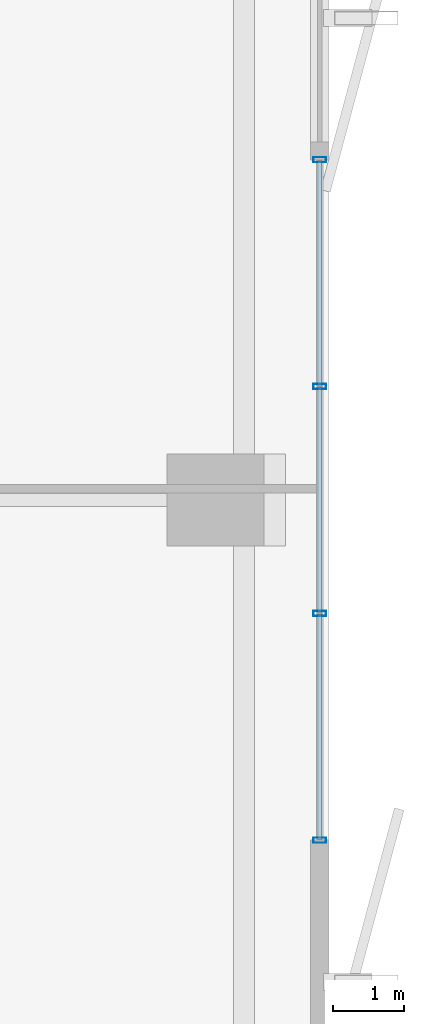
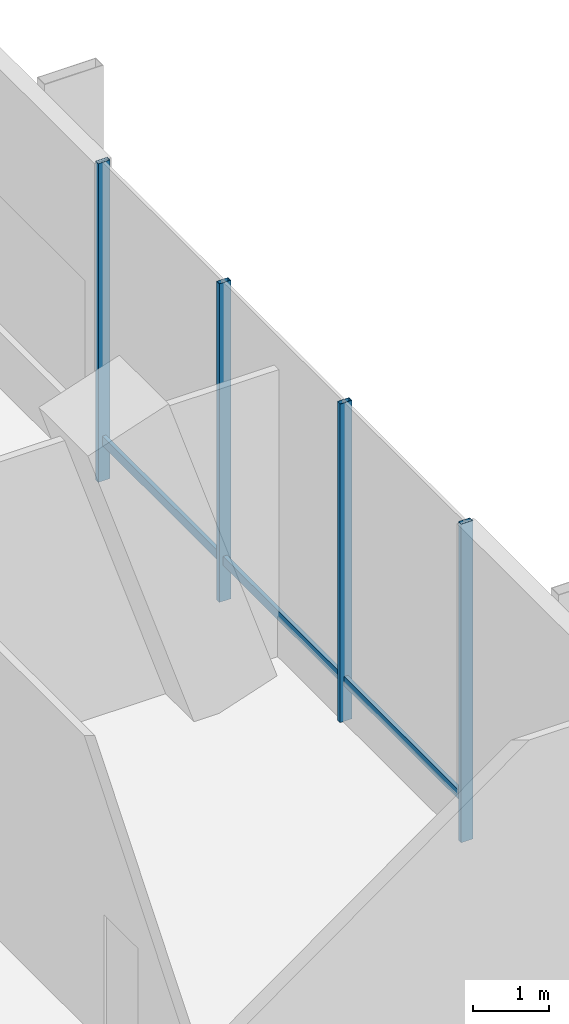
# One storey, part 14 of 28: 7 members, 1 element without a shape of its own.
"""IFC4 building model written with IfcOpenShell, lengths in metres."""

from ifc_helpers import new_model, si_unit, direction, frame, origin, origin_2d, place, context, subcontext, project, spatial, hollow_rectangle, extrude, material, layer, layer_set, material_profile, profile_set, type_object, element, aggregate, save


model = new_model("IFC4")

# Units and contexts
model_context = context("Model", 3, precision=1e-05, world=origin(), true_north=direction((0.0, 1.0)))
body_context = subcontext(model_context, "Body", "Model", "MODEL_VIEW")
ifc_project = project(units=[si_unit("LENGTHUNIT", "METRE"), si_unit("AREAUNIT", "SQUARE_METRE"), si_unit("VOLUMEUNIT", "CUBIC_METRE"), si_unit("PLANEANGLEUNIT", "RADIAN"), si_unit("MASSUNIT", "GRAM", prefix="KILO")], contexts=[model_context])

# Site, building, storey
site_placement = place(None, origin())
site = spatial("IfcSite", under=ifc_project, at=site_placement, CompositionType="ELEMENT")
building_placement = place(site_placement, origin())
building = spatial("IfcBuilding", under=site, at=building_placement, Name="Belovzor Exchange Tower", CompositionType="ELEMENT")
storey_placement = place(building_placement, frame((0.0, 0.0, 132.89990234375)))
storey = spatial("IfcBuildingStorey", under=building, at=storey_placement, Name="L32", CompositionType="ELEMENT", Elevation=132.89990234375)

# Curtain wall, members
ifc_material_1 = material(Name="Anodised Aluminium Framing", Category="aluminium")
ifc_layer = layer(ifc_material_1, 0.239990234375)
ifc_layer_set = layer_set([ifc_layer], Name="Anodised Aluminium Framing")
curtain_wall_type = type_object("IfcCurtainWallType", Name="Sky-Lobby Double-Skin Acoustic Curtain Wall", PredefinedType="NOTDEFINED", material=ifc_layer_set)
curtain_wall_placement = place(storey_placement, origin())
curtain_wall = element("IfcCurtainWall", 1, at=curtain_wall_placement, inside=storey, type_object=curtain_wall_type, Name="CW4 Sky-Lobby Double-Skin Acoustic Curtain Wall L32", PredefinedType="NOTDEFINED")
ifc_material_2 = material(Name="Steel S355", Category="steel")
ifc_material_profile_1 = material_profile(ifc_material_2, hollow_rectangle(XDim=0.074951171875, YDim=0.179931640625, WallThickness=0.0048828125, at=origin_2d()))
ifc_profile_set_1 = profile_set([ifc_material_profile_1], Name="Steel S355")
member_type_1 = type_object("IfcMemberType", Name="Thermally Broken Curtain Wall Mullion 180x75", PredefinedType="MULLION", material=ifc_profile_set_1)
member_1_placement = place(storey_placement, frame((54.77001953125, 33.60009765625, 0.0), z_axis=(0.0, 0.0, 1.0), x_axis=(0.0, -1.0, 0.0)))
member_1 = element("IfcMember", 2, at=member_1_placement, type_object=member_type_1, Name="CW-M180 Curtain Wall Mullion 1", PredefinedType="MULLION", context=body_context, shape_type="SweptSolid", body=[
    extrude(hollow_rectangle(XDim=0.074951171875, YDim=0.179931640625, WallThickness=0.0048828125, at=origin_2d()), origin(), (0.0, 0.0, 1.0), 5.14501953125),
])
member_2_placement = place(storey_placement, frame((54.77001953125, 30.39990234375, 0.0), z_axis=(0.0, 0.0, 1.0), x_axis=(0.0, -1.0, 0.0)))
member_2 = element("IfcMember", 3, at=member_2_placement, type_object=member_type_1, Name="CW-M180 Curtain Wall Mullion 2", PredefinedType="MULLION", context=body_context, shape_type="SweptSolid", body=[
    extrude(hollow_rectangle(XDim=0.074951171875, YDim=0.179931640625, WallThickness=0.0048828125, at=origin_2d()), origin(), (0.0, 0.0, 1.0), 5.14501953125),
])
member_3_placement = place(storey_placement, frame((54.77001953125, 27.199951171875, 0.0), z_axis=(0.0, 0.0, 1.0), x_axis=(0.0, -1.0, 0.0)))
member_3 = element("IfcMember", 4, at=member_3_placement, type_object=member_type_1, Name="CW-M180 Curtain Wall Mullion 3", PredefinedType="MULLION", context=body_context, shape_type="SweptSolid", body=[
    extrude(hollow_rectangle(XDim=0.074951171875, YDim=0.179931640625, WallThickness=0.0048828125, at=origin_2d()), origin(), (0.0, 0.0, 1.0), 5.14501953125),
])
member_4_placement = place(storey_placement, frame((54.77001953125, 24.0, 0.0), z_axis=(0.0, 0.0, 1.0), x_axis=(0.0, -1.0, 0.0)))
member_4 = element("IfcMember", 5, at=member_4_placement, type_object=member_type_1, Name="CW-M180 Curtain Wall Mullion 4", PredefinedType="MULLION", context=body_context, shape_type="SweptSolid", body=[
    extrude(hollow_rectangle(XDim=0.074951171875, YDim=0.179931640625, WallThickness=0.0048828125, at=origin_2d()), origin(), (0.0, 0.0, 1.0), 5.14501953125),
])
ifc_material_3 = material(Name="Steel S355", Category="steel")
ifc_material_profile_2 = material_profile(ifc_material_3, hollow_rectangle(XDim=0.06005859375, YDim=0.14990234375, WallThickness=0.00390625, at=origin_2d()))
ifc_profile_set_2 = profile_set([ifc_material_profile_2], Name="Steel S355")
member_type_2 = type_object("IfcMemberType", Name="Thermally Broken Curtain Wall Transom 150x60", PredefinedType="USERDEFINED", material=ifc_profile_set_2)
member_5_placement = place(storey_placement, frame((54.77001953125, 33.592041015625, 0.650146484375), z_axis=(0.0, -1.0, 0.0), x_axis=(1.0, 0.0, 0.0)))
member_5 = element("IfcMember", 6, at=member_5_placement, type_object=member_type_2, Name="CW-T150 Curtain Wall Transom 1", ObjectType="TRANSOM", PredefinedType="USERDEFINED", context=body_context, shape_type="SweptSolid", body=[
    extrude(hollow_rectangle(XDim=0.06005859375, YDim=0.14990234375, WallThickness=0.00390625, at=origin_2d()), origin(), (0.0, 0.0, 1.0), 3.18408203125),
])
member_6_placement = place(storey_placement, frame((54.77001953125, 30.39208984375, 0.650146484375), z_axis=(0.0, -1.0, 0.0), x_axis=(1.0, 0.0, 0.0)))
member_6 = element("IfcMember", 7, at=member_6_placement, type_object=member_type_2, Name="CW-T150 Curtain Wall Transom 2", ObjectType="TRANSOM", PredefinedType="USERDEFINED", context=body_context, shape_type="SweptSolid", body=[
    extrude(hollow_rectangle(XDim=0.06005859375, YDim=0.14990234375, WallThickness=0.00390625, at=origin_2d()), origin(), (0.0, 0.0, 1.0), 3.18408203125),
])
member_7_placement = place(storey_placement, frame((54.77001953125, 27.19189453125, 0.650146484375), z_axis=(0.0, -1.0, 0.0), x_axis=(1.0, 0.0, 0.0)))
member_7 = element("IfcMember", 8, at=member_7_placement, type_object=member_type_2, Name="CW-T150 Curtain Wall Transom 3", ObjectType="TRANSOM", PredefinedType="USERDEFINED", context=body_context, shape_type="SweptSolid", body=[
    extrude(hollow_rectangle(XDim=0.06005859375, YDim=0.14990234375, WallThickness=0.00390625, at=origin_2d()), origin(), (0.0, 0.0, 1.0), 3.183837890625),
])
aggregate(curtain_wall, [member_1, member_2, member_3, member_4, member_5, member_6, member_7])

save(model, "model.ifc")
